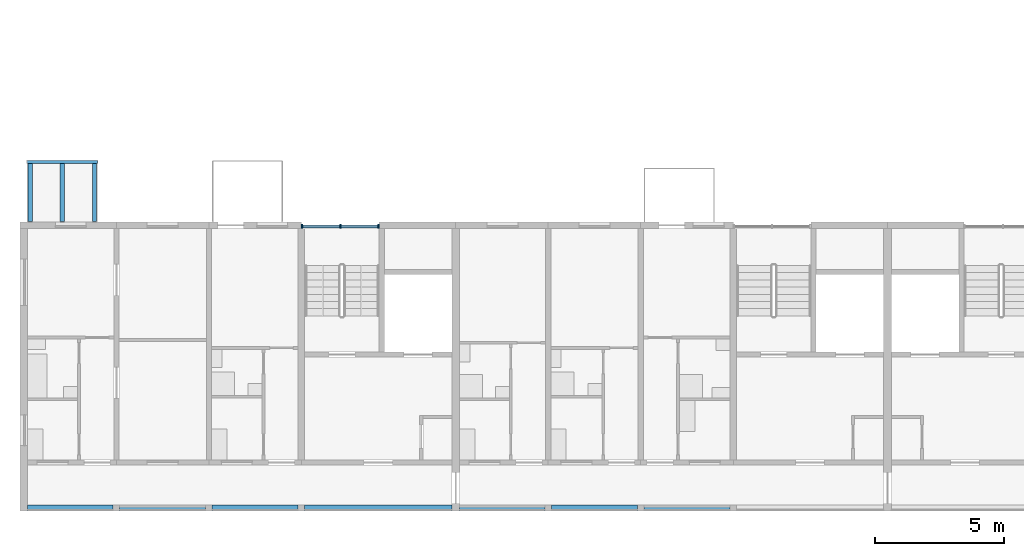
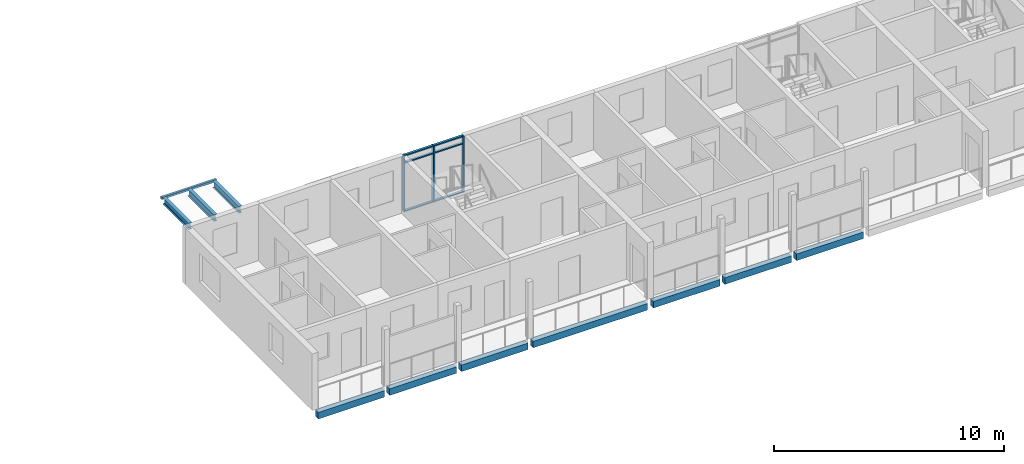
# One storey, part 5 of 94: 11 beams, 9 members, 1 element without a shape of its own.
"""IFC4 building model written with IfcOpenShell, lengths in metres."""

from ifc_helpers import new_model, si_unit, direction, frame, origin, origin_2d, place, context, subcontext, project, spatial, rectangle, hollow_rectangle, i_section, extrude, material, material_profile, profile_set, type_object, element, aggregate, save


model = new_model("IFC4")

# Units and contexts
model_context = context("Model", 3, precision=1e-05, world=origin(), true_north=direction((0.0, 1.0)))
body_context = subcontext(model_context, "Body", "Model", "MODEL_VIEW")
ifc_project = project(units=[si_unit("LENGTHUNIT", "METRE"), si_unit("AREAUNIT", "SQUARE_METRE"), si_unit("VOLUMEUNIT", "CUBIC_METRE"), si_unit("PLANEANGLEUNIT", "RADIAN"), si_unit("MASSUNIT", "GRAM", prefix="KILO")], contexts=[model_context])

# Site, building, storey
site_placement = place(None, origin())
site = spatial("IfcSite", under=ifc_project, at=site_placement, CompositionType="ELEMENT")
building_placement = place(site_placement, origin())
building = spatial("IfcBuilding", under=site, at=building_placement, Name="Ridgestep Commons", CompositionType="ELEMENT")
storey_placement = place(building_placement, frame((0.0, 0.0, 21.0)))
storey = spatial("IfcBuildingStorey", under=building, at=storey_placement, Name="L07", CompositionType="ELEMENT", Elevation=21.0)

# Beams
ifc_material_1 = material(Name="Precast concrete C40/50", Category="concrete")
ifc_material_profile_1 = material_profile(ifc_material_1, rectangle(XDim=0.25, YDim=0.35009765625, at=origin_2d()), Name="PC 250x350")
ifc_profile_set_1 = profile_set([ifc_material_profile_1], Name="Precast concrete C40/50")
beam_type_1 = type_object("IfcBeamType", Name="Loggia edge beam 250 x 350", PredefinedType="SPANDREL", material=ifc_profile_set_1)
beam_1_placement = place(storey_placement, frame((12.14990234375, 11.875, -0.375), z_axis=(1.0, 0.0, 0.0), x_axis=(0.0, 1.0, 0.0)))
element("IfcBeam", 1, at=beam_1_placement, inside=storey, type_object=beam_type_1, Name="Loggia edge beam A1T1 L07", PredefinedType="SPANDREL", context=body_context, shape_type="SweptSolid", body=[
    extrude(rectangle(XDim=0.25, YDim=0.35009765625, at=origin_2d()), origin(), (0.0, 0.0, 1.0), 3.3251953125),
])
beam_2_placement = place(storey_placement, frame((15.72509765625, 11.875, -0.375), z_axis=(1.0, 0.0, 0.0), x_axis=(0.0, 1.0, 0.0)))
element("IfcBeam", 2, at=beam_2_placement, inside=storey, type_object=beam_type_1, Name="Loggia edge beam A1T2 L07", PredefinedType="SPANDREL", context=body_context, shape_type="SweptSolid", body=[
    extrude(rectangle(XDim=0.25, YDim=0.35009765625, at=origin_2d()), origin(), (0.0, 0.0, 1.0), 3.349853515625),
])
beam_3_placement = place(storey_placement, frame((19.324951171875, 11.875, -0.375), z_axis=(1.0, 0.0, 0.0), x_axis=(0.0, 1.0, 0.0)))
element("IfcBeam", 3, at=beam_3_placement, inside=storey, type_object=beam_type_1, Name="Loggia edge beam A1T3 L07", PredefinedType="SPANDREL", context=body_context, shape_type="SweptSolid", body=[
    extrude(rectangle(XDim=0.25, YDim=0.35009765625, at=origin_2d()), origin(), (0.0, 0.0, 1.0), 3.35009765625),
])
beam_4_placement = place(storey_placement, frame((22.925048828125, 11.875, -0.375), z_axis=(1.0, 0.0, 0.0), x_axis=(0.0, 1.0, 0.0)))
element("IfcBeam", 4, at=beam_4_placement, inside=storey, type_object=beam_type_1, Name="Loggia edge beam A1C L07", PredefinedType="SPANDREL", context=body_context, shape_type="SweptSolid", body=[
    extrude(rectangle(XDim=0.25, YDim=0.35009765625, at=origin_2d()), origin(), (0.0, 0.0, 1.0), 5.724853515625),
])
beam_5_placement = place(storey_placement, frame((28.949951171875, 11.875, -0.375), z_axis=(1.0, 0.0, 0.0), x_axis=(0.0, 1.0, 0.0)))
element("IfcBeam", 5, at=beam_5_placement, inside=storey, type_object=beam_type_1, Name="Loggia edge beam A2T1 L07", PredefinedType="SPANDREL", context=body_context, shape_type="SweptSolid", body=[
    extrude(rectangle(XDim=0.25, YDim=0.35009765625, at=origin_2d()), origin(), (0.0, 0.0, 1.0), 3.324951171875),
])
for number, where, z_axis, x_axis, name in (
    (6, (32.52490234375, 11.875, -0.375), (1.0, 0.0, 0.0), (0.0, 1.0, 0.0), "Loggia edge beam A2T2 L07"),
    (7, (36.125, 11.875, -0.375), (1.0, 0.0, 0.0), (0.0, 1.0, 0.0), "Loggia edge beam A2T3 L07"),
):
    element("IfcBeam", number, at=place(storey_placement, frame(where, z_axis=z_axis, x_axis=x_axis)), inside=storey, type_object=beam_type_1, Name=name, PredefinedType="SPANDREL", context=body_context, shape_type="SweptSolid", body=[
        extrude(rectangle(XDim=0.25, YDim=0.35009765625, at=origin_2d()), origin(), (0.0, 0.0, 1.0), 3.35009765625),
    ])

# Curtain wall, members
ifc_material_2 = material(Name="Aluminium 6063-T6 and glass", Category="aluminium")
curtain_wall_type = type_object("IfcCurtainWallType", Name="Curtain wall stair strip", PredefinedType="NOTDEFINED", material=ifc_material_2)
curtain_wall_placement = place(storey_placement, origin())
curtain_wall = element("IfcCurtainWall", 8, at=curtain_wall_placement, inside=storey, type_object=curtain_wall_type, Name="Curtain wall A1C level 07", PredefinedType="NOTDEFINED")
ifc_material_3 = material(Name="Aluminium 6063-T6", Category="aluminium")
ifc_material_profile_2 = material_profile(ifc_material_3, rectangle(XDim=0.159912109375, YDim=0.06005859375, at=origin_2d()), Name="Mullion 60 x 160")
ifc_profile_set_2 = profile_set([ifc_material_profile_2], Name="Aluminium 6063-T6")
member_type_1 = type_object("IfcMemberType", Name="Mullion 60 x 160", PredefinedType="MULLION", material=ifc_profile_set_2)
member_1_placement = place(storey_placement, frame((22.830078125, 22.830078125, 0.0), z_axis=(0.0, 0.0, 1.0), x_axis=(0.0, 1.0, 0.0)))
member_1 = element("IfcMember", 9, at=member_1_placement, type_object=member_type_1, Name="CW1 mullion 1", PredefinedType="MULLION", context=body_context, shape_type="SweptSolid", body=[
    extrude(rectangle(XDim=0.159912109375, YDim=0.06005859375, at=origin_2d()), origin(), (0.0, 0.0, 1.0), 3.0),
])
member_2_placement = place(storey_placement, frame((24.3125, 22.830078125, 0.0), z_axis=(0.0, 0.0, 1.0), x_axis=(0.0, 1.0, 0.0)))
member_2 = element("IfcMember", 10, at=member_2_placement, type_object=member_type_1, Name="CW1 mullion 2", PredefinedType="MULLION", context=body_context, shape_type="SweptSolid", body=[
    extrude(rectangle(XDim=0.159912109375, YDim=0.06005859375, at=origin_2d()), origin(), (0.0, 0.0, 1.0), 3.0),
])
member_3_placement = place(storey_placement, frame((25.794921875, 22.830078125, 0.0), z_axis=(0.0, 0.0, 1.0), x_axis=(0.0, 1.0, 0.0)))
member_3 = element("IfcMember", 11, at=member_3_placement, type_object=member_type_1, Name="CW1 mullion 3", PredefinedType="MULLION", context=body_context, shape_type="SweptSolid", body=[
    extrude(rectangle(XDim=0.159912109375, YDim=0.06005859375, at=origin_2d()), origin(), (0.0, 0.0, 1.0), 3.0),
])
ifc_material_4 = material(Name="Aluminium 6063-T6", Category="aluminium")
ifc_material_profile_3 = material_profile(ifc_material_4, rectangle(XDim=0.1201171875, YDim=0.06005859375, at=origin_2d()), Name="Transom 60 x 120")
ifc_profile_set_3 = profile_set([ifc_material_profile_3], Name="Aluminium 6063-T6")
member_type_2 = type_object("IfcMemberType", Name="Transom 60 x 120", PredefinedType="USERDEFINED", material=ifc_profile_set_3)
member_4_placement = place(storey_placement, frame((22.860107421875, 22.830078125, 0.030029296875), z_axis=(1.0, 0.0, 0.0), x_axis=(0.0, 1.0, 0.0)))
member_4 = element("IfcMember", 12, at=member_4_placement, type_object=member_type_2, Name="CW1 transom 1.1", ObjectType="TRANSOM", PredefinedType="USERDEFINED", context=body_context, shape_type="SweptSolid", body=[
    extrude(rectangle(XDim=0.1201171875, YDim=0.06005859375, at=origin_2d()), origin(), (0.0, 0.0, 1.0), 1.42236328125),
])
member_5_placement = place(storey_placement, frame((22.860107421875, 22.830078125, 2.590087890625), z_axis=(1.0, 0.0, 0.0), x_axis=(0.0, 1.0, 0.0)))
member_5 = element("IfcMember", 13, at=member_5_placement, type_object=member_type_2, Name="CW1 transom 1.2", ObjectType="TRANSOM", PredefinedType="USERDEFINED", context=body_context, shape_type="SweptSolid", body=[
    extrude(rectangle(XDim=0.1201171875, YDim=0.06005859375, at=origin_2d()), origin(), (0.0, 0.0, 1.0), 1.42236328125),
])
member_6_placement = place(storey_placement, frame((22.860107421875, 22.830078125, 2.969970703125), z_axis=(1.0, 0.0, 0.0), x_axis=(0.0, 1.0, 0.0)))
member_6 = element("IfcMember", 14, at=member_6_placement, type_object=member_type_2, Name="CW1 transom 1.3", ObjectType="TRANSOM", PredefinedType="USERDEFINED", context=body_context, shape_type="SweptSolid", body=[
    extrude(rectangle(XDim=0.1201171875, YDim=0.06005859375, at=origin_2d()), origin(), (0.0, 0.0, 1.0), 1.42236328125),
])
member_7_placement = place(storey_placement, frame((24.342529296875, 22.830078125, 0.030029296875), z_axis=(1.0, 0.0, 0.0), x_axis=(0.0, 1.0, 0.0)))
member_7 = element("IfcMember", 15, at=member_7_placement, type_object=member_type_2, Name="CW1 transom 2.1", ObjectType="TRANSOM", PredefinedType="USERDEFINED", context=body_context, shape_type="SweptSolid", body=[
    extrude(rectangle(XDim=0.1201171875, YDim=0.06005859375, at=origin_2d()), origin(), (0.0, 0.0, 1.0), 1.42236328125),
])
member_8_placement = place(storey_placement, frame((24.342529296875, 22.830078125, 2.590087890625), z_axis=(1.0, 0.0, 0.0), x_axis=(0.0, 1.0, 0.0)))
member_8 = element("IfcMember", 16, at=member_8_placement, type_object=member_type_2, Name="CW1 transom 2.2", ObjectType="TRANSOM", PredefinedType="USERDEFINED", context=body_context, shape_type="SweptSolid", body=[
    extrude(rectangle(XDim=0.1201171875, YDim=0.06005859375, at=origin_2d()), origin(), (0.0, 0.0, 1.0), 1.42236328125),
])
member_9_placement = place(storey_placement, frame((24.342529296875, 22.830078125, 2.969970703125), z_axis=(1.0, 0.0, 0.0), x_axis=(0.0, 1.0, 0.0)))
member_9 = element("IfcMember", 17, at=member_9_placement, type_object=member_type_2, Name="CW1 transom 2.3", ObjectType="TRANSOM", PredefinedType="USERDEFINED", context=body_context, shape_type="SweptSolid", body=[
    extrude(rectangle(XDim=0.1201171875, YDim=0.06005859375, at=origin_2d()), origin(), (0.0, 0.0, 1.0), 1.42236328125),
])
aggregate(curtain_wall, [member_1, member_2, member_3, member_4, member_5, member_6, member_7, member_8, member_9])

# Beams
ifc_material_5 = material(Name="Weathering steel S355J2W", Category="steel")
ifc_material_profile_4 = material_profile(ifc_material_5, i_section(OverallWidth=0.171142578125, OverallDepth=0.351318359375, WebThickness=0.007080078125, FlangeThickness=0.009765625, FilletRadius=0.01025390625, at=origin_2d()), Name="UB 356x171x45")
ifc_profile_set_4 = profile_set([ifc_material_profile_4], Name="Weathering steel S355J2W")
beam_type_2 = type_object("IfcBeamType", Name="Tray arm UB 356x171x45", PredefinedType="BEAM", material=ifc_profile_set_4)
for number, where, z_axis, x_axis, name in (
    (18, (12.25, 23.014892578125, 2.814208984375), (0.0, 1.0, 0.0), (-1.0, 0.0, 0.0), "Tray arm A1T1-08.1"),
    (19, (13.5, 23.014892578125, 2.814208984375), (0.0, 1.0, 0.0), (-1.0, 0.0, 0.0), "Tray arm A1T1-08.2"),
    (20, (14.75, 23.014892578125, 2.814208984375), (0.0, 1.0, 0.0), (-1.0, 0.0, 0.0), "Tray arm A1T1-08.3"),
):
    element("IfcBeam", number, at=place(storey_placement, frame(where, z_axis=z_axis, x_axis=x_axis)), inside=storey, type_object=beam_type_2, Name=name, PredefinedType="BEAM", context=body_context, shape_type="SweptSolid", body=[
        extrude(i_section(OverallWidth=0.171142578125, OverallDepth=0.351318359375, WebThickness=0.007080078125, FlangeThickness=0.009765625, FilletRadius=0.01025390625, at=origin_2d()), origin(), (0.0, 0.0, 1.0), 2.26513671875),
    ])
ifc_material_6 = material(Name="Weathering steel S355J2W", Category="steel")
ifc_material_profile_5 = material_profile(ifc_material_6, hollow_rectangle(XDim=0.1201171875, YDim=0.1201171875, WallThickness=0.00634765625, InnerFilletRadius=0.00634765625, OuterFilletRadius=0.009521484375, at=origin_2d()), Name="SHS 120x120x6.3")
ifc_profile_set_5 = profile_set([ifc_material_profile_5], Name="Weathering steel S355J2W")
beam_type_3 = type_object("IfcBeamType", Name="Tray edge member SHS 120x120x6.3", PredefinedType="BEAM", material=ifc_profile_set_5)
beam_6_placement = place(storey_placement, frame((12.1298828125, 25.340087890625, 2.929931640625), z_axis=(1.0, 0.0, 0.0), x_axis=(0.0, 0.0, 1.0)))
element("IfcBeam", 21, at=beam_6_placement, inside=storey, type_object=beam_type_3, Name="Tray edge member A1T1-08", PredefinedType="BEAM", context=body_context, shape_type="SweptSolid", body=[
    extrude(hollow_rectangle(XDim=0.1201171875, YDim=0.1201171875, WallThickness=0.00634765625, InnerFilletRadius=0.00634765625, OuterFilletRadius=0.009521484375, at=origin_2d()), origin(), (0.0, 0.0, 1.0), 2.740234375),
])

save(model, "model.ifc")
